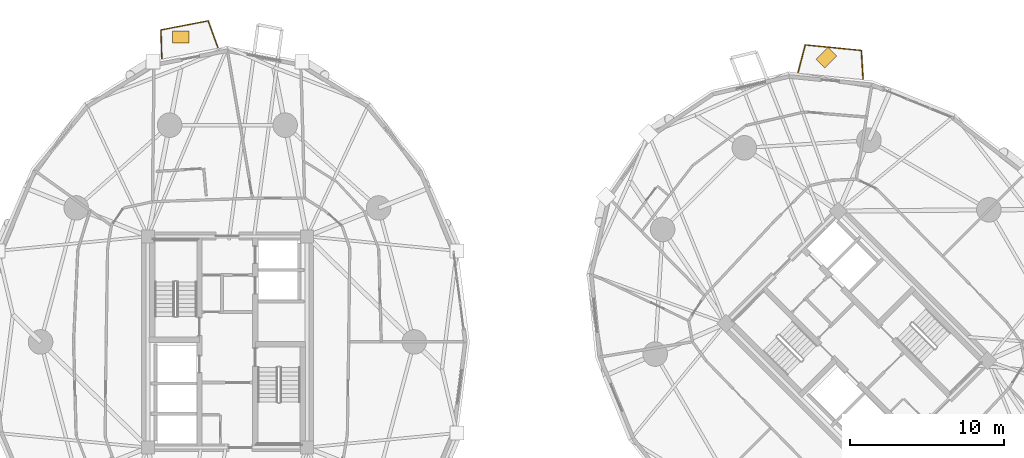
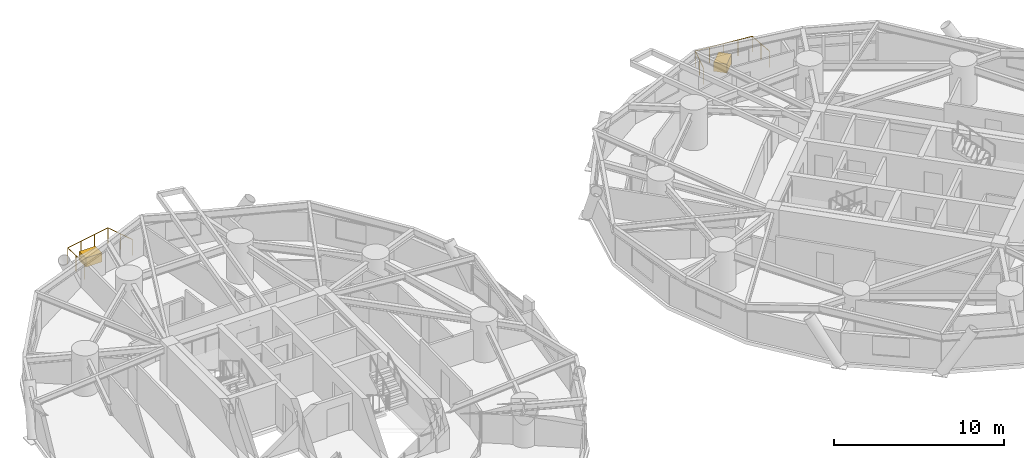
# One storey, part 20 of 20: 2 coverings, 2 railings.
"""IFC4 building model written with IfcOpenShell, lengths in metres."""

import ifcopenshell
import ifcopenshell.guid

model = None  # the IFC model being written
_history = None  # IfcOwnerHistory: only IFC2X3 demands one
_inside = {}  # id of a spatial element -> (the spatial element, [elements in it])
_under = {}  # id of a project, library or spatial element -> (it, [spatial elements below it])
_declared = {}  # id of a project -> (the project, [libraries it declares])
_typed = {}  # id of a type object -> (the type object, [elements of that type])
_made_of = {}  # id of a material, layer set ... -> (it, [elements and type objects made of it])


def new_model(schema):
    """Start an empty IFC model of exactly this schema.

    Asked for "IFC4X3", IfcOpenShell would pick the latest addendum, in which some entities
    have other attributes; the version numbers below select the first issue.
    IFC2X3 requires an IfcOwnerHistory on every rooted entity: one is made here for all.
    """
    global model, _history
    if schema == "IFC4X3":
        model = ifcopenshell.file(schema_version=(4, 3, 0, 0))
    else:
        model = ifcopenshell.file(schema=schema)
    _inside.clear()
    _under.clear()
    _declared.clear()
    _typed.clear()
    _made_of.clear()
    _history = None
    if model.schema == "IFC2X3":
        org = make("IfcOrganization", Name="unknown")
        user = make(
            "IfcPersonAndOrganization",
            ThePerson=make("IfcPerson", FamilyName="unknown"),
            TheOrganization=org,
        )
        app = make(
            "IfcApplication",
            ApplicationDeveloper=org,
            Version="unknown",
            ApplicationFullName="unknown",
            ApplicationIdentifier="unknown",
        )
        _history = make(
            "IfcOwnerHistory",
            OwningUser=user,
            OwningApplication=app,
            ChangeAction="ADDED",
            CreationDate=0,
        )
    return model


def make(cls, **values):
    """One entity of the class cls with the attributes given. An attribute that is None is left unset."""
    return model.create_entity(
        cls, **{name: value for name, value in values.items() if value is not None}
    )


def rooted(cls, **values):
    """An entity with a GlobalId (a new one), such as an element, a storey or a relation."""
    return make(cls, GlobalId=ifcopenshell.guid.new(), OwnerHistory=_history, **values)


def si_unit(unit_type, name, prefix=None):
    """IfcSIUnit, for example si_unit("LENGTHUNIT", "METRE", prefix="MILLI")."""
    return make("IfcSIUnit", UnitType=unit_type, Prefix=prefix, Name=name)


def assignment(units):
    """IfcUnitAssignment: the units of a project."""
    return None if units is None else make("IfcUnitAssignment", Units=units)


def point(xyz):
    """IfcCartesianPoint."""
    return None if xyz is None else make("IfcCartesianPoint", Coordinates=xyz)


def direction(xyz):
    """IfcDirection."""
    return None if xyz is None else make("IfcDirection", DirectionRatios=xyz)


def frame(location, z_axis=None, x_axis=None):
    """IfcAxis2Placement3D, a coordinate frame: its origin and axes. An axis left out is left unset."""
    return make(
        "IfcAxis2Placement3D",
        Location=point(location),
        Axis=direction(z_axis),
        RefDirection=direction(x_axis),
    )


def frame_2d(location, x_axis=None):
    """IfcAxis2Placement2D, a coordinate frame in the plane: its origin and x axis."""
    return make(
        "IfcAxis2Placement2D", Location=point(location), RefDirection=direction(x_axis)
    )


def origin():
    """The frame at (0, 0, 0) with its axes left unset."""
    return frame((0.0, 0.0, 0.0))


def origin_2d():
    """The frame at (0, 0) in the plane with its x axis left unset."""
    return frame_2d((0.0, 0.0))


def place(relative_to, where):
    """IfcLocalPlacement: puts the frame where relative to a parent placement (None: the world)."""
    return make(
        "IfcLocalPlacement", PlacementRelTo=relative_to, RelativePlacement=where
    )


def context(
    kind, dimensions, precision=None, world=None, true_north=None, identifier=None
):
    """IfcGeometricRepresentationContext, for example the 3D "Model" context."""
    return make(
        "IfcGeometricRepresentationContext",
        ContextIdentifier=identifier,
        ContextType=kind,
        CoordinateSpaceDimension=dimensions,
        Precision=precision,
        WorldCoordinateSystem=world,
        TrueNorth=true_north,
    )


def subcontext(parent, identifier, kind, view, scale=None):
    """IfcGeometricRepresentationSubContext, for example "Body" below "Model"."""
    return make(
        "IfcGeometricRepresentationSubContext",
        ContextIdentifier=identifier,
        ContextType=kind,
        ParentContext=parent,
        TargetScale=scale,
        TargetView=view,
    )


def project(units=None, contexts=None):
    """IfcProject with its units and contexts."""
    return rooted(
        "IfcProject",
        Name="project",
        RepresentationContexts=contexts,
        UnitsInContext=assignment(units),
    )


def spatial(cls, under=None, at=None, **own):
    """A site, building, storey or space (cls), placed at a placement, below another one or the project."""
    s = rooted(cls, ObjectPlacement=at, **own)
    if under is not None:
        _under.setdefault(under.id(), (under, []))[1].append(s)
    return s


def profile(cls, at=None, kind="AREA", **sizes):
    """A parametric profile (cls). Its sizes go by their IFC names, for example OverallWidth=200.0."""
    return make(cls, ProfileType=kind, Position=at, **sizes)


def rectangle(**sizes):
    """IfcRectangleProfileDef."""
    return profile("IfcRectangleProfileDef", **sizes)


def circle(**sizes):
    """IfcCircleProfileDef."""
    return profile("IfcCircleProfileDef", **sizes)


def extrude(swept, where, along, depth):
    """IfcExtrudedAreaSolid: the profile swept, set in the frame where, extruded along a direction by depth."""
    return make(
        "IfcExtrudedAreaSolid",
        SweptArea=swept,
        Position=where,
        ExtrudedDirection=direction(along),
        Depth=depth,
    )


def shape(context_of_items, identifier, shape_type, items):
    """IfcShapeRepresentation: the items that make up one representation, for example the "Body"."""
    return make(
        "IfcShapeRepresentation",
        ContextOfItems=context_of_items,
        RepresentationIdentifier=identifier,
        RepresentationType=shape_type,
        Items=items,
    )


def source(mapping_origin, context_of_items, identifier, shape_type, items):
    """IfcRepresentationMap: a shape defined once, which mapped items show again and again."""
    return make(
        "IfcRepresentationMap",
        MappingOrigin=mapping_origin,
        MappedRepresentation=shape(context_of_items, identifier, shape_type, items),
    )


def transform(
    local_origin,
    x_axis=None,
    y_axis=None,
    z_axis=None,
    scale=None,
    scale2=None,
    scale3=None,
    uniform=True,
):
    """IfcCartesianTransformationOperator3D, or its non-uniform kind. x_axis, y_axis, z_axis: its Axis1, 2, 3."""
    if uniform:
        return make(
            "IfcCartesianTransformationOperator3D",
            Axis1=direction(x_axis),
            Axis2=direction(y_axis),
            LocalOrigin=point(local_origin),
            Scale=scale,
            Axis3=direction(z_axis),
        )
    return make(
        "IfcCartesianTransformationOperator3DnonUniform",
        Axis1=direction(x_axis),
        Axis2=direction(y_axis),
        LocalOrigin=point(local_origin),
        Scale=scale,
        Axis3=direction(z_axis),
        Scale2=scale2,
        Scale3=scale3,
    )


def mapped(mapping_source, mapping_target):
    """IfcMappedItem: shows the shape of a source again, moved by a transform."""
    return make(
        "IfcMappedItem", MappingSource=mapping_source, MappingTarget=mapping_target
    )


def material(Name=None, Category=None):
    """IfcMaterial."""
    return make("IfcMaterial", Name=Name, Category=Category)


def layer(
    of_material, thickness, ventilated=None, Name=None, Category=None, Priority=None
):
    """IfcMaterialLayer: one layer of a wall or slab, of a material (None: an air gap)."""
    return make(
        "IfcMaterialLayer",
        Material=of_material,
        LayerThickness=thickness,
        IsVentilated=ventilated,
        Name=Name,
        Category=Category,
        Priority=Priority,
    )


def layer_set(layers, Name=None):
    """IfcMaterialLayerSet."""
    return make("IfcMaterialLayerSet", MaterialLayers=layers, LayerSetName=Name)


def made_of(thing, what):
    """Note that an element or type object is made of a material, layer set ...; save() writes the relation."""
    if what is not None:
        _made_of.setdefault(what.id(), (what, []))[1].append(thing)
    return thing


def type_object(cls, material=None, **own):
    """A type object (cls), such as IfcWallType, which elements share."""
    return made_of(rooted(cls, **own), material)


def element(
    cls,
    number,
    at=None,
    inside=None,
    cuts=None,
    type_object=None,
    material=None,
    context=None,
    identifier="Body",
    shape_type=None,
    held_by="IfcProductDefinitionShape",
    body=None,
    shapes=None,
    **own,
):
    """One element of the class cls, such as IfcWall. Its Tag is "e" and its number.

    at: its placement. inside: the storey or other place that contains it. cuts: it is an
    opening in that element (IfcRelVoidsElement). A single representation is given by context,
    identifier, shape_type and body (its items); several are given by shapes. held_by: the class
    of the entity that holds the representations. save() writes the other relations.
    """
    e = rooted(cls, Tag="e%d" % number, ObjectPlacement=at, **own)
    if body is not None:
        shapes = [shape(context, identifier, shape_type, body)]
    if shapes is not None:
        e.Representation = make(held_by, Representations=shapes)
    if inside is not None:
        _inside.setdefault(inside.id(), (inside, []))[1].append(e)
    if cuts is not None:
        rooted(
            "IfcRelVoidsElement", RelatingBuildingElement=cuts, RelatedOpeningElement=e
        )
    if type_object is not None:
        _typed.setdefault(type_object.id(), (type_object, []))[1].append(e)
    return made_of(e, material)


def aggregate(whole, parts):
    """IfcRelAggregates: a whole, such as a stair, and the parts it consists of."""
    return rooted("IfcRelAggregates", RelatingObject=whole, RelatedObjects=parts)


def save(model, path):
    """Write the relations noted so far, then the file.

    IfcRelAggregates (storeys below a building ...), IfcRelContainedInSpatialStructure (elements
    in a storey), IfcRelDefinesByType, IfcRelAssociatesMaterial and IfcRelDeclares: one each for
    every whole, place, type object, material and project.
    """
    for whole, parts in _under.values():
        aggregate(whole, parts)
    for where, things in _inside.values():
        rooted(
            "IfcRelContainedInSpatialStructure",
            RelatedElements=things,
            RelatingStructure=where,
        )
    for kind, things in _typed.values():
        rooted("IfcRelDefinesByType", RelatedObjects=things, RelatingType=kind)
    for what, things in _made_of.values():
        rooted("IfcRelAssociatesMaterial", RelatedObjects=things, RelatingMaterial=what)
    for by, libraries in _declared.values():
        rooted("IfcRelDeclares", RelatingContext=by, RelatedDefinitions=libraries)
    model.write(path)


model = new_model("IFC4")

# Units and contexts
model_context = context("Model", 3, precision=1e-05, world=origin(), true_north=direction((0.0, 1.0)))
body_context = subcontext(model_context, "Body", "Model", "MODEL_VIEW")
ifc_project = project(units=[si_unit("LENGTHUNIT", "METRE"), si_unit("AREAUNIT", "SQUARE_METRE"), si_unit("VOLUMEUNIT", "CUBIC_METRE"), si_unit("PLANEANGLEUNIT", "RADIAN"), si_unit("MASSUNIT", "GRAM", prefix="KILO")], contexts=[model_context])

# Site, building, storey
site_placement = place(None, origin())
site = spatial("IfcSite", under=ifc_project, at=site_placement, CompositionType="ELEMENT")
building_placement = place(site_placement, origin())
building = spatial("IfcBuilding", under=site, at=building_placement, Name="Cununo Teusaquillo Station Towers", CompositionType="ELEMENT")
storey_placement = place(building_placement, frame((0.0, 0.0, 39.4599609375)))
storey = spatial("IfcBuildingStorey", under=building, at=storey_placement, Name="L11", CompositionType="ELEMENT", Elevation=39.4599609375)

# Railings
ifc_material_1 = material(Name="Anodised dark bronze aluminium EN AW-6063-T6", Category="aluminium")
railing_type = type_object("IfcRailingType", Name="RL-EXT-GUARD", PredefinedType="GUARDRAIL", material=ifc_material_1)
railing_1_placement = place(storey_placement, frame((12.226806640625, 42.965576171875, 0.0)))
element("IfcRailing", 1, at=railing_1_placement, inside=storey, type_object=railing_type, Name="L11 Tower A Balcony Guardrail C05", PredefinedType="GUARDRAIL", context=body_context, shape_type="SweptSolid", body=[
    extrude(circle(Radius=0.02392578125, at=origin_2d()), frame((0.0, 0.0, 1.1259765625), z_axis=(-0.030666047799, 0.999529686159, 0.0), x_axis=(-0.999529686159, -0.030666047799, 0.0)), (0.0, 0.0, 1.0), 1.863037109375),
    extrude(circle(Radius=0.02392578125, at=origin_2d()), frame((-0.05712890625, 1.862060546875, 1.1259765625), z_axis=(0.981838510886, 0.189718577217, 0.0), x_axis=(-0.189718577217, 0.981838510886, 0.0)), (0.0, 0.0, 1.0), 3.12841796875),
    extrude(circle(Radius=0.02392578125, at=origin_2d()), frame((3.014404296875, 2.45556640625, 1.1259765625), z_axis=(0.343888798081, -0.93901038043, 0.0), x_axis=(0.93901038043, 0.343888798081, 0.0)), (0.0, 0.0, 1.0), 1.86279296875),
    extrude(circle(Radius=0.02099609375, at=origin_2d()), origin(), (0.0, 0.0, 1.0), 1.101806640625),
    extrude(circle(Radius=0.02099609375, at=origin_2d()), frame((-0.028564453125, 0.93115234375, 0.0)), (0.0, 0.0, 1.0), 1.101806640625),
    extrude(circle(Radius=0.02099609375, at=origin_2d()), frame((-0.05712890625, 1.862060546875, 0.0)), (0.0, 0.0, 1.0), 1.101806640625),
    extrude(circle(Radius=0.02099609375, at=origin_2d()), frame((0.966796875, 2.059814453125, 0.0)), (0.0, 0.0, 1.0), 1.101806640625),
    extrude(circle(Radius=0.02099609375, at=origin_2d()), frame((1.990478515625, 2.2578125, 0.0)), (0.0, 0.0, 1.0), 1.101806640625),
    extrude(circle(Radius=0.02099609375, at=origin_2d()), frame((3.014404296875, 2.45556640625, 0.0)), (0.0, 0.0, 1.0), 1.101806640625),
    extrude(circle(Radius=0.02099609375, at=origin_2d()), frame((3.334716796875, 1.5810546875, 0.0)), (0.0, 0.0, 1.0), 1.101806640625),
    extrude(circle(Radius=0.02099609375, at=origin_2d()), frame((3.655029296875, 0.706298828125, 0.0)), (0.0, 0.0, 1.0), 1.101806640625),
])
railing_2_placement = place(storey_placement, frame((53.669921875, 42.045654296875, 0.0)))
element("IfcRailing", 2, at=railing_2_placement, inside=storey, type_object=railing_type, Name="L11 Tower B Balcony Guardrail C02", PredefinedType="GUARDRAIL", context=body_context, shape_type="SweptSolid", body=[
    extrude(circle(Radius=0.02392578125, at=origin_2d()), frame((0.0, 0.0, 1.1259765625), z_axis=(0.255867456127, 0.966711872739, 0.0), x_axis=(-0.966711872739, 0.255867456127, 0.0)), (0.0, 0.0, 1.0), 1.87109375),
    extrude(circle(Radius=0.02392578125, at=origin_2d()), frame((0.478759765625, 1.808837890625, 1.1259765625), z_axis=(0.995124555994, -0.098626153008, 0.0), x_axis=(0.098626153008, 0.995124555994, 0.0)), (0.0, 0.0, 1.0), 3.66357421875),
    extrude(circle(Radius=0.02392578125, at=origin_2d()), frame((4.12451171875, 1.447509765625, 1.1259765625), z_axis=(0.06119229958, -0.998125995289, 0.0), x_axis=(0.998125995289, 0.06119229958, 0.0)), (0.0, 0.0, 1.0), 1.87109375),
    extrude(circle(Radius=0.02099609375, at=origin_2d()), origin(), (0.0, 0.0, 1.0), 1.101806640625),
    extrude(circle(Radius=0.02099609375, at=origin_2d()), frame((0.2392578125, 0.904296875, 0.0)), (0.0, 0.0, 1.0), 1.101806640625),
    extrude(circle(Radius=0.02099609375, at=origin_2d()), frame((0.478759765625, 1.808837890625, 0.0)), (0.0, 0.0, 1.0), 1.101806640625),
    extrude(circle(Radius=0.02099609375, at=origin_2d()), frame((1.39013671875, 1.718505859375, 0.0)), (0.0, 0.0, 1.0), 1.101806640625),
    extrude(circle(Radius=0.02099609375, at=origin_2d()), frame((2.3017578125, 1.628173828125, 0.0)), (0.0, 0.0, 1.0), 1.101806640625),
    extrude(circle(Radius=0.02099609375, at=origin_2d()), frame((3.213134765625, 1.537841796875, 0.0)), (0.0, 0.0, 1.0), 1.101806640625),
    extrude(circle(Radius=0.02099609375, at=origin_2d()), frame((4.12451171875, 1.447509765625, 0.0)), (0.0, 0.0, 1.0), 1.101806640625),
    extrude(circle(Radius=0.02099609375, at=origin_2d()), frame((4.181640625, 0.513671875, 0.0)), (0.0, 0.0, 1.0), 1.101806640625),
    extrude(circle(Radius=0.02099609375, at=origin_2d()), frame((4.239013671875, -0.420166015625, 0.0)), (0.0, 0.0, 1.0), 1.101806640625),
])

# Coverings
ifc_material_2 = material(Name="Architectural GRC planter shell and engineered root-zone substrate", Category="concrete")
ifc_layer = layer(ifc_material_2, 0.64990234375)
ifc_layer_set = layer_set([ifc_layer], Name="Architectural GRC planter shell and engineered root-zone substrate")
covering_type = type_object("IfcCoveringType", Name="COV-TREE-PLANTER", PredefinedType="CLADDING", material=ifc_layer_set)
shared_shape = source(origin(), body_context, "Body", "SweptSolid", [
    extrude(rectangle(XDim=1.10009765625, YDim=0.800048828125, at=origin_2d()), origin(), (0.0, 0.0, 1.0), 0.64990234375),
])
for number, where, z_axis, x_axis, name in (
    (3, (13.458984375, 44.370849609375, 0.0), (0.0, 0.0, 1.0), (1.0, 0.0, 0.0), "L11 Tower A Balcony Tree PLANTER C05"),
    (4, (55.519775390625, 43.017578125, 0.0), (0.0, 0.0, 1.0), (0.707106781187, 0.707106781187, 0.0), "L11 Tower B Balcony Tree PLANTER C02"),
):
    element("IfcCovering", number, at=place(storey_placement, frame(where, z_axis=z_axis, x_axis=x_axis)), inside=storey, type_object=covering_type, Name=name, PredefinedType="CLADDING", context=body_context, shape_type="MappedRepresentation", body=[
        mapped(shared_shape, transform((0.0, 0.0, 0.0), x_axis=(1.0, 0.0, 0.0), y_axis=(0.0, 1.0, 0.0), z_axis=(0.0, 0.0, 1.0), scale=1.0)),
    ])

save(model, "model.ifc")
